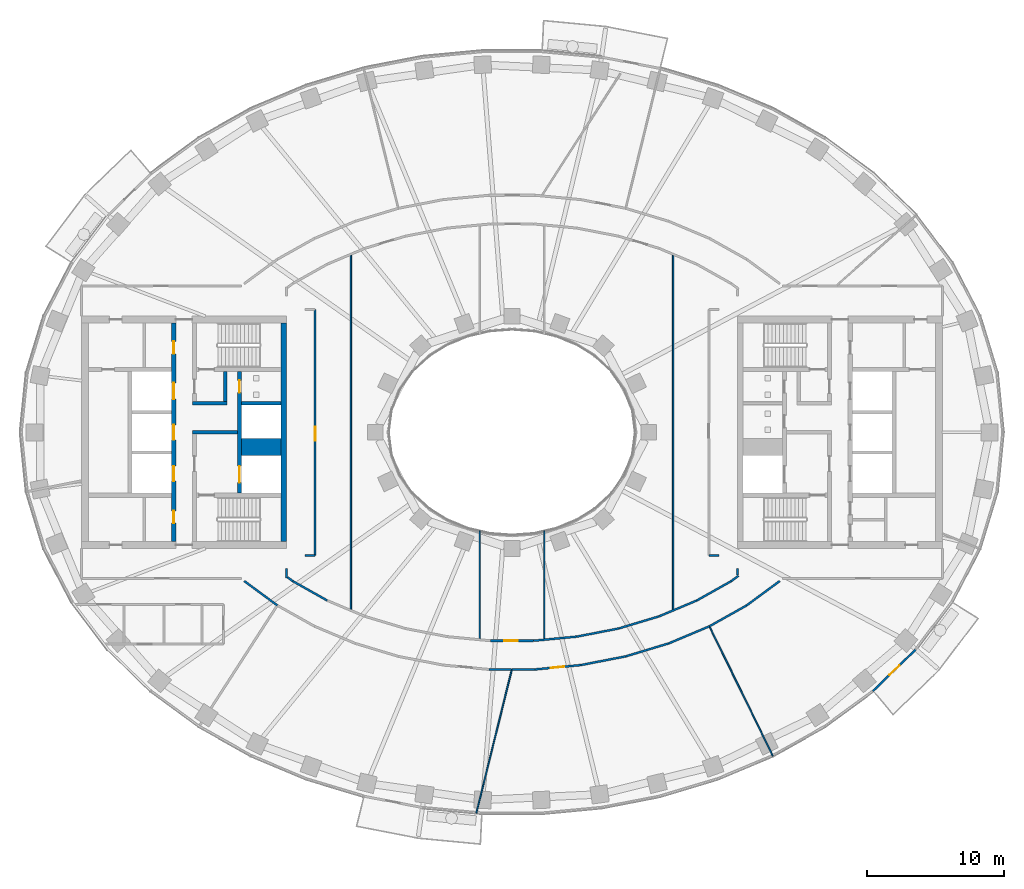
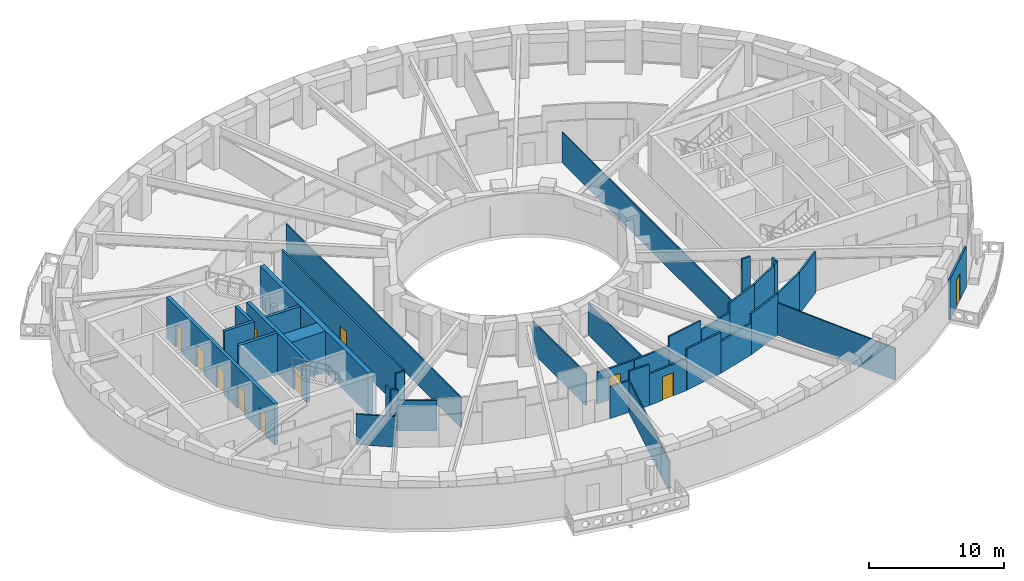
# One storey, part 4 of 16: 39 walls, 11 doors, 11 openings.
"""IFC4 building model written with IfcOpenShell, lengths in metres."""

from ifc_helpers import new_model, si_unit, direction, frame, frame_2d, origin, place, context, subcontext, project, spatial, rectangle, extrude, material, layer, layer_set, type_object, element, fill, save


model = new_model("IFC4")

# Units and contexts
model_context = context("Model", 3, precision=1e-05, world=origin(), true_north=direction((0.0, 1.0)))
body_context = subcontext(model_context, "Body", "Model", "MODEL_VIEW")
ifc_project = project(units=[si_unit("LENGTHUNIT", "METRE"), si_unit("AREAUNIT", "SQUARE_METRE"), si_unit("VOLUMEUNIT", "CUBIC_METRE"), si_unit("PLANEANGLEUNIT", "RADIAN"), si_unit("MASSUNIT", "GRAM", prefix="KILO")], contexts=[model_context])

# Site, building, storey
site_placement = place(None, origin())
site = spatial("IfcSite", under=ifc_project, at=site_placement, CompositionType="ELEMENT")
building_placement = place(site_placement, origin())
building = spatial("IfcBuilding", under=site, at=building_placement, Name="Noorbagh Ring Tower", CompositionType="ELEMENT")
storey_placement = place(building_placement, frame((0.0, 0.0, 136.0)))
storey = spatial("IfcBuildingStorey", under=building, at=storey_placement, Name="L31", CompositionType="ELEMENT", Elevation=136.0)

# Walls
ifc_material_1 = material(Name="Concrete C70/85", Category="concrete")
ifc_layer_1 = layer(ifc_material_1, 1.25)
ifc_layer_set_1 = layer_set([ifc_layer_1], Name="Concrete C70/85")
wall_type_1 = type_object("IfcWallType", Name="CORE-WALL-1250-C70-85-EI120", PredefinedType="SHEAR", material=ifc_layer_set_1)
wall_1_placement = place(storey_placement, frame((-16.89990234375, -1.074951171875, 0.0), z_axis=(0.0, 0.0, 1.0), x_axis=(-1.0, 0.0, 0.0)))
element("IfcWall", 1, at=wall_1_placement, inside=storey, type_object=wall_type_1, Name="Core wall W", PredefinedType="SHEAR", context=body_context, shape_type="SweptSolid", body=[
    extrude(rectangle(XDim=2.900146484375, YDim=1.25, at=frame_2d((1.4501953125, 0.0))), origin(), (0.0, 0.0, 1.0), 3.699951171875),
])
ifc_material_2 = material(Name="Concrete C70/85", Category="concrete")
ifc_layer_2 = layer(ifc_material_2, 0.25)
ifc_layer_set_2 = layer_set([ifc_layer_2], Name="Concrete C70/85")
wall_type_2 = type_object("IfcWallType", Name="CORE-WALL-250-C70-85-EI120", PredefinedType="SHEAR", material=ifc_layer_set_2)
wall_2_placement = place(storey_placement, frame((-16.89990234375, 2.125, 0.0), z_axis=(0.0, 0.0, 1.0), x_axis=(-1.0, 0.0, 0.0)))
element("IfcWall", 2, at=wall_2_placement, inside=storey, type_object=wall_type_2, Name="Core wall W", PredefinedType="SHEAR", context=body_context, shape_type="SweptSolid", body=[
    extrude(rectangle(XDim=2.900146484375, YDim=0.25, at=frame_2d((1.4501953125, 0.0))), origin(), (0.0, 0.0, 1.0), 3.699951171875),
])
ifc_material_3 = material(Name="Concrete C70/85", Category="concrete")
ifc_layer_3 = layer(ifc_material_3, 0.25)
ifc_layer_set_3 = layer_set([ifc_layer_3], Name="Concrete C70/85")
wall_type_3 = type_object("IfcWallType", Name="CORE-WALL-250-C70-85-EI240", PredefinedType="SHEAR", material=ifc_layer_set_3)
wall_3_placement = place(storey_placement, frame((-20.10009765625, 0.0, 0.0), z_axis=(0.0, 0.0, 1.0), x_axis=(-1.0, 0.0, 0.0)))
element("IfcWall", 3, at=wall_3_placement, inside=storey, type_object=wall_type_3, Name="Core wall W", PredefinedType="SHEAR", context=body_context, shape_type="SweptSolid", body=[
    extrude(rectangle(XDim=3.27978515625, YDim=0.25, at=frame_2d((1.639892578125, 0.0))), origin(), (0.0, 0.0, 1.0), 3.699951171875),
])
wall_4_placement = place(storey_placement, frame((-20.85009765625, 2.125, 0.0), z_axis=(0.0, 0.0, 1.0), x_axis=(-1.0, 0.0, 0.0)))
element("IfcWall", 4, at=wall_4_placement, inside=storey, type_object=wall_type_3, Name="Core wall W", PredefinedType="SHEAR", context=body_context, shape_type="SweptSolid", body=[
    extrude(rectangle(XDim=2.52978515625, YDim=0.25, at=frame_2d((1.264892578125, 0.0))), origin(), (0.0, 0.0, 1.0), 3.699951171875),
])
wall_5_placement = place(storey_placement, frame((-20.97509765625, 2.25, 0.0), z_axis=(0.0, 0.0, 1.0), x_axis=(0.0, 1.0, 0.0)))
element("IfcWall", 5, at=wall_5_placement, inside=storey, type_object=wall_type_3, Name="Core wall W", PredefinedType="SHEAR", context=body_context, shape_type="SweptSolid", body=[
    extrude(rectangle(XDim=2.199951171875, YDim=0.25, at=frame_2d((1.10009765625, 0.0))), origin(), (0.0, 0.0, 1.0), 3.699951171875),
])

# Wall, openings, doors
ifc_material_4 = material(Name="Concrete C70/85", Category="concrete")
ifc_layer_4 = layer(ifc_material_4, 0.300048828125)
ifc_layer_set_4 = layer_set([ifc_layer_4], Name="Concrete C70/85")
wall_type_4 = type_object("IfcWallType", Name="CORE-WALL-300-C70-85-EI120", PredefinedType="SHEAR", material=ifc_layer_set_4)
wall_6_placement = place(storey_placement, frame((-19.949951171875, -4.449951171875, 0.0), z_axis=(0.0, 0.0, 1.0), x_axis=(0.0, 1.0, 0.0)))
wall_6 = element("IfcWall", 6, at=wall_6_placement, inside=storey, type_object=wall_type_4, Name="Core wall W", PredefinedType="SHEAR", context=body_context, shape_type="SweptSolid", body=[
    extrude(rectangle(XDim=8.89990234375, YDim=0.300048828125, at=frame_2d((4.449951171875, 0.0))), origin(), (0.0, 0.0, 1.0), 3.699951171875),
])
opening_1_placement = place(wall_6_placement, frame((0.77490234375, 0.0, 0.0)))
opening_1 = element("IfcOpeningElement", 7, at=opening_1_placement, cuts=wall_6, Name="Opening L31-CW01", PredefinedType="OPENING", context=body_context, shape_type="SweptSolid", body=[
    extrude(rectangle(XDim=1.199951171875, YDim=2.10009765625, at=frame_2d((0.60009765625, 1.050048828125))), frame((0.0, 0.16015625, 0.0), z_axis=(0.0, -1.0, 0.0), x_axis=(1.0, 0.0, 0.0)), (0.0, 0.0, 1.0), 0.320068359375),
])
opening_2_placement = place(wall_6_placement, frame((7.35009765625, 0.0, 0.0)))
opening_2 = element("IfcOpeningElement", 8, at=opening_2_placement, cuts=wall_6, Name="Opening L31-CW11", PredefinedType="OPENING", context=body_context, shape_type="SweptSolid", body=[
    extrude(rectangle(XDim=0.89990234375, YDim=2.10009765625, at=frame_2d((0.449951171875, 1.050048828125))), frame((0.0, 0.16015625, 0.0), z_axis=(0.0, -1.0, 0.0), x_axis=(1.0, 0.0, 0.0)), (0.0, 0.0, 1.0), 0.320068359375),
])
ifc_material_5 = material(Name="Steel door leaf", Category="steel")
door_type_1 = type_object("IfcDoorType", Name="CORE-DOOR-DROOM", OperationType="SINGLE_SWING_LEFT", PredefinedType="DOOR", material=ifc_material_5)
door_1_placement = place(opening_2_placement, origin())
door_1 = element("IfcDoor", 9, at=door_1_placement, inside=storey, type_object=door_type_1, Name="Core room door L31-CW11", OperationType="SINGLE_SWING_LEFT", OverallHeight=2.10009765625, OverallWidth=0.89990234375, PredefinedType="DOOR", context=body_context, shape_type="SweptSolid", body=[
    extrude(rectangle(XDim=0.89990234375, YDim=2.10009765625, at=frame_2d((0.449951171875, 1.050048828125))), frame((0.0, 0.02490234375, 0.0), z_axis=(0.0, -1.0, 0.0), x_axis=(1.0, 0.0, 0.0)), (0.0, 0.0, 1.0), 0.050048828125),
])
fill(opening_2, door_1)
ifc_material_6 = material(Name="Steel door leaf", Category="steel")
door_type_2 = type_object("IfcDoorType", Name="CORE-DOOR-LDW", OperationType="DOUBLE_DOOR_SLIDING", PredefinedType="DOOR", material=ifc_material_6)
door_2_placement = place(opening_1_placement, origin())
door_2 = element("IfcDoor", 10, at=door_2_placement, inside=storey, type_object=door_type_2, Name="Landing door FF1 L31-CW01", OperationType="DOUBLE_DOOR_SLIDING", OverallHeight=2.10009765625, OverallWidth=1.199951171875, PredefinedType="DOOR", context=body_context, shape_type="SweptSolid", body=[
    extrude(rectangle(XDim=1.199951171875, YDim=2.10009765625, at=frame_2d((0.60009765625, 1.050048828125))), frame((0.0, 0.02490234375, 0.0), z_axis=(0.0, -1.0, 0.0), x_axis=(1.0, 0.0, 0.0)), (0.0, 0.0, 1.0), 0.050048828125),
])
fill(opening_1, door_2)

wall_7_placement = place(storey_placement, frame((-24.75, -8.0, 0.0), z_axis=(0.0, 0.0, 1.0), x_axis=(0.0, 1.0, 0.0)))
wall_7 = element("IfcWall", 11, at=wall_7_placement, inside=storey, type_object=wall_type_4, Name="Core wall W", PredefinedType="SHEAR", context=body_context, shape_type="SweptSolid", body=[
    extrude(rectangle(XDim=16.0, YDim=0.300048828125, at=frame_2d((8.0, 0.0))), origin(), (0.0, 0.0, 1.0), 3.699951171875),
])
opening_3_placement = place(wall_7_placement, frame((4.425048828125, 0.0, 0.0)))
opening_3 = element("IfcOpeningElement", 12, at=opening_3_placement, cuts=wall_7, Name="Opening L31-CW02", PredefinedType="OPENING", context=body_context, shape_type="SweptSolid", body=[
    extrude(rectangle(XDim=1.10009765625, YDim=2.10009765625, at=frame_2d((0.550048828125, 1.050048828125))), frame((0.0, 0.16015625, 0.0), z_axis=(0.0, -1.0, 0.0), x_axis=(1.0, 0.0, 0.0)), (0.0, 0.0, 1.0), 0.320068359375),
])
opening_4_placement = place(wall_7_placement, frame((7.449951171875, 0.0, 0.0)))
opening_4 = element("IfcOpeningElement", 13, at=opening_4_placement, cuts=wall_7, Name="Opening L31-CW03", PredefinedType="OPENING", context=body_context, shape_type="SweptSolid", body=[
    extrude(rectangle(XDim=1.10009765625, YDim=2.10009765625, at=frame_2d((0.550048828125, 1.050048828125))), frame((0.0, 0.16015625, 0.0), z_axis=(0.0, -1.0, 0.0), x_axis=(1.0, 0.0, 0.0)), (0.0, 0.0, 1.0), 0.320068359375),
])
opening_5_placement = place(wall_7_placement, frame((10.425048828125, 0.0, 0.0)))
opening_5 = element("IfcOpeningElement", 14, at=opening_5_placement, cuts=wall_7, Name="Opening L31-CW04", PredefinedType="OPENING", context=body_context, shape_type="SweptSolid", body=[
    extrude(rectangle(XDim=1.199951171875, YDim=2.10009765625, at=frame_2d((0.60009765625, 1.050048828125))), frame((0.0, 0.16015625, 0.0), z_axis=(0.0, -1.0, 0.0), x_axis=(1.0, 0.0, 0.0)), (0.0, 0.0, 1.0), 0.320068359375),
])
opening_6_placement = place(wall_7_placement, frame((13.75, 0.0, 0.0)))
opening_6 = element("IfcOpeningElement", 15, at=opening_6_placement, cuts=wall_7, Name="Opening L31-CW12", PredefinedType="OPENING", context=body_context, shape_type="SweptSolid", body=[
    extrude(rectangle(XDim=0.89990234375, YDim=2.10009765625, at=frame_2d((0.449951171875, 1.050048828125))), frame((0.0, 0.16015625, 0.0), z_axis=(0.0, -1.0, 0.0), x_axis=(1.0, 0.0, 0.0)), (0.0, 0.0, 1.0), 0.320068359375),
])
opening_7_placement = place(wall_7_placement, frame((1.35009765625, 0.0, 0.0)))
opening_7 = element("IfcOpeningElement", 16, at=opening_7_placement, cuts=wall_7, Name="Opening L31-CW14", PredefinedType="OPENING", context=body_context, shape_type="SweptSolid", body=[
    extrude(rectangle(XDim=0.89990234375, YDim=2.10009765625, at=frame_2d((0.449951171875, 1.050048828125))), frame((0.0, 0.16015625, 0.0), z_axis=(0.0, -1.0, 0.0), x_axis=(1.0, 0.0, 0.0)), (0.0, 0.0, 1.0), 0.320068359375),
])
door_3_placement = place(opening_6_placement, origin())
door_3 = element("IfcDoor", 17, at=door_3_placement, inside=storey, type_object=door_type_1, Name="Core room door L31-CW12", OperationType="SINGLE_SWING_RIGHT", OverallHeight=2.10009765625, OverallWidth=0.89990234375, PredefinedType="DOOR", context=body_context, shape_type="SweptSolid", body=[
    extrude(rectangle(XDim=0.89990234375, YDim=2.10009765625, at=frame_2d((0.449951171875, 1.050048828125))), frame((0.0, 0.02490234375, 0.0), z_axis=(0.0, -1.0, 0.0), x_axis=(1.0, 0.0, 0.0)), (0.0, 0.0, 1.0), 0.050048828125),
])
fill(opening_6, door_3)
door_4_placement = place(opening_7_placement, origin())
door_4 = element("IfcDoor", 18, at=door_4_placement, inside=storey, type_object=door_type_1, Name="Core room door L31-CW14", OperationType="SINGLE_SWING_LEFT", OverallHeight=2.10009765625, OverallWidth=0.89990234375, PredefinedType="DOOR", context=body_context, shape_type="SweptSolid", body=[
    extrude(rectangle(XDim=0.89990234375, YDim=2.10009765625, at=frame_2d((0.449951171875, 1.050048828125))), frame((0.0, 0.02490234375, 0.0), z_axis=(0.0, -1.0, 0.0), x_axis=(1.0, 0.0, 0.0)), (0.0, 0.0, 1.0), 0.050048828125),
])
fill(opening_7, door_4)
ifc_material_7 = material(Name="Steel door leaf", Category="steel")
door_type_3 = type_object("IfcDoorType", Name="CORE-DOOR-LD", OperationType="DOUBLE_DOOR_SLIDING", PredefinedType="DOOR", material=ifc_material_7)
door_5_placement = place(opening_3_placement, origin())
door_5 = element("IfcDoor", 19, at=door_5_placement, inside=storey, type_object=door_type_3, Name="Landing door LR1 L31-CW02", OperationType="DOUBLE_DOOR_SLIDING", OverallHeight=2.10009765625, OverallWidth=1.10009765625, PredefinedType="DOOR", context=body_context, shape_type="SweptSolid", body=[
    extrude(rectangle(XDim=1.10009765625, YDim=2.10009765625, at=frame_2d((0.550048828125, 1.050048828125))), frame((0.0, 0.02490234375, 0.0), z_axis=(0.0, -1.0, 0.0), x_axis=(1.0, 0.0, 0.0)), (0.0, 0.0, 1.0), 0.050048828125),
])
fill(opening_3, door_5)
door_6_placement = place(opening_4_placement, origin())
door_6 = element("IfcDoor", 20, at=door_6_placement, inside=storey, type_object=door_type_3, Name="Landing door LR2 L31-CW03", OperationType="DOUBLE_DOOR_SLIDING", OverallHeight=2.10009765625, OverallWidth=1.10009765625, PredefinedType="DOOR", context=body_context, shape_type="SweptSolid", body=[
    extrude(rectangle(XDim=1.10009765625, YDim=2.10009765625, at=frame_2d((0.550048828125, 1.050048828125))), frame((0.0, 0.02490234375, 0.0), z_axis=(0.0, -1.0, 0.0), x_axis=(1.0, 0.0, 0.0)), (0.0, 0.0, 1.0), 0.050048828125),
])
fill(opening_4, door_6)
door_7_placement = place(opening_5_placement, origin())
door_7 = element("IfcDoor", 21, at=door_7_placement, inside=storey, type_object=door_type_2, Name="Landing door SV1 L31-CW04", OperationType="DOUBLE_DOOR_SLIDING", OverallHeight=2.10009765625, OverallWidth=1.199951171875, PredefinedType="DOOR", context=body_context, shape_type="SweptSolid", body=[
    extrude(rectangle(XDim=1.199951171875, YDim=2.10009765625, at=frame_2d((0.60009765625, 1.050048828125))), frame((0.0, 0.02490234375, 0.0), z_axis=(0.0, -1.0, 0.0), x_axis=(1.0, 0.0, 0.0)), (0.0, 0.0, 1.0), 0.050048828125),
])
fill(opening_5, door_7)

# Walls
ifc_material_8 = material(Name="Concrete C70/85", Category="concrete")
ifc_layer_5 = layer(ifc_material_8, 0.39990234375)
ifc_layer_set_5 = layer_set([ifc_layer_5], Name="Concrete C70/85")
wall_type_5 = type_object("IfcWallType", Name="CORE-WALL-400-C70-85-EI240", PredefinedType="SHEAR", material=ifc_layer_set_5)
wall_8_placement = place(storey_placement, frame((-16.699951171875, -8.0, 0.0), z_axis=(0.0, 0.0, 1.0), x_axis=(0.0, 1.0, 0.0)))
element("IfcWall", 22, at=wall_8_placement, inside=storey, type_object=wall_type_5, Name="Core wall W", PredefinedType="SHEAR", context=body_context, shape_type="SweptSolid", body=[
    extrude(rectangle(XDim=16.0, YDim=0.39990234375, at=frame_2d((8.0, 0.0))), origin(), (0.0, 0.0, 1.0), 3.699951171875),
])
ifc_material_9 = material(Name="Gypsum board on steel studs", Category="steel")
ifc_layer_6 = layer(ifc_material_9, 0.14990234375)
ifc_layer_set_6 = layer_set([ifc_layer_6], Name="Gypsum board on steel studs")
wall_type_6 = type_object("IfcWallType", Name="CORRIDOR PARTITION 150 EI 30", PredefinedType="PARTITIONING", material=ifc_layer_set_6)
wall_9_placement = place(storey_placement, frame((-19.594970703125, -10.876953125, 0.0), z_axis=(0.0, 0.0, 1.0), x_axis=(0.805151708762, -0.593068904831, 0.0)))
element("IfcWall", 23, at=wall_9_placement, inside=storey, type_object=wall_type_6, Name="L31/wall/P15", PredefinedType="PARTITIONING", context=body_context, shape_type="SweptSolid", body=[
    extrude(rectangle(XDim=3.008056640625, YDim=0.14990234375, at=frame_2d((1.50390625, 0.0))), origin(), (0.0, 0.0, 1.0), 2.75),
])
wall_10_placement = place(storey_placement, frame((-16.5, -10.64208984375, 0.0), z_axis=(0.0, 0.0, 1.0), x_axis=(0.0, 1.0, 0.0)))
element("IfcWall", 24, at=wall_10_placement, inside=storey, type_object=wall_type_6, Name="L31/wall/P19", PredefinedType="PARTITIONING", context=body_context, shape_type="SweptSolid", body=[
    extrude(rectangle(XDim=0.677978515625, YDim=0.14990234375, at=frame_2d((0.3388671875, 0.0))), origin(), (0.0, 0.0, 1.0), 3.699951171875),
])
wall_11_placement = place(storey_placement, frame((-16.425048828125, -10.60400390625, 0.0), z_axis=(0.0, 0.0, 1.0), x_axis=(0.805608867586, -0.592447763492, 0.0)))
element("IfcWall", 25, at=wall_11_placement, inside=storey, type_object=wall_type_6, Name="L31/wall/P20", PredefinedType="PARTITIONING", context=body_context, shape_type="SweptSolid", body=[
    extrude(rectangle(XDim=0.48779296875, YDim=0.14990234375, at=frame_2d((0.243896484375, 0.0))), origin(), (0.0, 0.0, 1.0), 3.699951171875),
])
wall_12_placement = place(storey_placement, frame((-16.031982421875, -10.89306640625, 0.0), z_axis=(0.0, 0.0, 1.0), x_axis=(0.871948863789, -0.489596955604, 0.0)))
element("IfcWall", 26, at=wall_12_placement, inside=storey, type_object=wall_type_6, Name="L31/wall/P23", PredefinedType="PARTITIONING", context=body_context, shape_type="SweptSolid", body=[
    extrude(rectangle(XDim=2.879638671875, YDim=0.14990234375, at=frame_2d((1.43994140625, 0.0))), origin(), (0.0, 0.0, 1.0), 2.75),
])
wall_13_placement = place(storey_placement, frame((-15.134033203125, -9.0, 0.0), z_axis=(0.0, 0.0, 1.0), x_axis=(1.0, 0.0, 0.0)))
element("IfcWall", 27, at=wall_13_placement, inside=storey, type_object=wall_type_6, Name="L31/wall/P25", PredefinedType="PARTITIONING", context=body_context, shape_type="SweptSolid", body=[
    extrude(rectangle(XDim=0.734130859375, YDim=0.14990234375, at=frame_2d((0.3671875, 0.0))), origin(), (0.0, 0.0, 1.0), 3.699951171875),
])

# Wall, opening, door
wall_14_placement = place(storey_placement, frame((-14.39990234375, -9.0, 0.0), z_axis=(0.0, 0.0, 1.0), x_axis=(0.0, 1.0, 0.0)))
wall_14 = element("IfcWall", 28, at=wall_14_placement, inside=storey, type_object=wall_type_6, Name="L31/wall/P29", PredefinedType="PARTITIONING", context=body_context, shape_type="SweptSolid", body=[
    extrude(rectangle(XDim=18.0, YDim=0.14990234375, at=frame_2d((9.0, 0.0))), origin(), (0.0, 0.0, 1.0), 3.699951171875),
])
opening_8_placement = place(wall_14_placement, frame((8.39990234375, 0.0, 0.0)))
opening_8 = element("IfcOpeningElement", 29, at=opening_8_placement, cuts=wall_14, Name="Opening D1", PredefinedType="OPENING", context=body_context, shape_type="SweptSolid", body=[
    extrude(rectangle(XDim=1.0, YDim=2.10009765625, at=frame_2d((0.5, 1.050048828125))), frame((0.0, 0.0849609375, 0.0), z_axis=(0.0, -1.0, 0.0), x_axis=(1.0, 0.0, 0.0)), (0.0, 0.0, 1.0), 0.169921875),
])
ifc_material_10 = material(Name="Timber, painted", Category="wood")
door_type_4 = type_object("IfcDoorType", Name="DOOR 1000 X 2100 FD30", OperationType="SINGLE_SWING_LEFT", PredefinedType="DOOR", material=ifc_material_10)
door_8_placement = place(opening_8_placement, origin())
door_8 = element("IfcDoor", 30, at=door_8_placement, inside=storey, type_object=door_type_4, Name="L31-D14", OperationType="SINGLE_SWING_RIGHT", OverallHeight=2.10009765625, OverallWidth=1.0, PredefinedType="DOOR", context=body_context, shape_type="SweptSolid", body=[
    extrude(rectangle(XDim=1.0, YDim=2.10009765625, at=frame_2d((0.5, 1.050048828125))), frame((0.0, 0.02490234375, 0.0), z_axis=(0.0, -1.0, 0.0), x_axis=(1.0, 0.0, 0.0)), (0.0, 0.0, 1.0), 0.050048828125),
])
fill(opening_8, door_8)

# Wall
wall_15_placement = place(storey_placement, frame((-1.68798828125, -17.347900390625, 0.0), z_axis=(0.0, 0.0, 1.0), x_axis=(1.0, 0.0, 0.0)))
element("IfcWall", 31, at=wall_15_placement, inside=storey, type_object=wall_type_6, Name="L31/wall/P50", PredefinedType="PARTITIONING", context=body_context, shape_type="SweptSolid", body=[
    extrude(rectangle(XDim=1.657958984375, YDim=0.14990234375, at=frame_2d((0.8291015625, 0.0))), origin(), (0.0, 0.0, 1.0), 2.85009765625),
])

# Wall, opening, door
wall_16_placement = place(storey_placement, frame((-1.589111328125, -15.248046875, 0.0), z_axis=(0.0, 0.0, 1.0), x_axis=(1.0, 0.0, 0.0)))
wall_16 = element("IfcWall", 32, at=wall_16_placement, inside=storey, type_object=wall_type_6, Name="L31/wall/P52", PredefinedType="PARTITIONING", context=body_context, shape_type="SweptSolid", body=[
    extrude(rectangle(XDim=3.17822265625, YDim=0.14990234375, at=frame_2d((1.589111328125, 0.0))), origin(), (0.0, 0.0, 1.0), 2.85009765625),
])
opening_9_placement = place(wall_16_placement, frame((1.028076171875, 0.0, 0.0)))
opening_9 = element("IfcOpeningElement", 33, at=opening_9_placement, cuts=wall_16, Name="Opening D1", PredefinedType="OPENING", context=body_context, shape_type="SweptSolid", body=[
    extrude(rectangle(XDim=1.0, YDim=2.10009765625, at=frame_2d((0.5, 1.050048828125))), frame((0.0, 0.0849609375, 0.0), z_axis=(0.0, -1.0, 0.0), x_axis=(1.0, 0.0, 0.0)), (0.0, 0.0, 1.0), 0.169921875),
])
door_9_placement = place(opening_9_placement, origin())
door_9 = element("IfcDoor", 34, at=door_9_placement, inside=storey, type_object=door_type_4, Name="L31-D16", OperationType="SINGLE_SWING_RIGHT", OverallHeight=2.10009765625, OverallWidth=1.0, PredefinedType="DOOR", context=body_context, shape_type="SweptSolid", body=[
    extrude(rectangle(XDim=1.0, YDim=2.10009765625, at=frame_2d((0.5, 1.050048828125))), frame((0.0, 0.02490234375, 0.0), z_axis=(0.0, -1.0, 0.0), x_axis=(1.0, 0.0, 0.0)), (0.0, 0.0, 1.0), 0.050048828125),
])
fill(opening_9, door_9)

# Walls
wall_17_placement = place(storey_placement, frame((-0.012939453125, -17.347900390625, 0.0), z_axis=(0.0, 0.0, 1.0), x_axis=(1.0, 0.0, 0.0)))
element("IfcWall", 35, at=wall_17_placement, inside=storey, type_object=wall_type_6, Name="L31/wall/P54", PredefinedType="PARTITIONING", context=body_context, shape_type="SweptSolid", body=[
    extrude(rectangle(XDim=1.700927734375, YDim=0.14990234375, at=frame_2d((0.8505859375, 0.0))), origin(), (0.0, 0.0, 1.0), 3.699951171875),
])
wall_18_placement = place(storey_placement, frame((1.589111328125, -15.248046875, 0.0), z_axis=(0.0, 0.0, 1.0), x_axis=(0.995467349369, 0.095103923894, 0.0)))
element("IfcWall", 36, at=wall_18_placement, inside=storey, type_object=wall_type_6, Name="L31/wall/P55", PredefinedType="PARTITIONING", context=body_context, shape_type="SweptSolid", body=[
    extrude(rectangle(XDim=3.165283203125, YDim=0.14990234375, at=frame_2d((1.58251953125, 0.0))), origin(), (0.0, 0.0, 1.0), 2.85009765625),
])

# Wall, opening, door
wall_19_placement = place(storey_placement, frame((1.68798828125, -17.347900390625, 0.0), z_axis=(0.0, 0.0, 1.0), x_axis=(0.99548178004, 0.094952754613, 0.0)))
wall_19 = element("IfcWall", 37, at=wall_19_placement, inside=storey, type_object=wall_type_6, Name="L31/wall/P57", PredefinedType="PARTITIONING", context=body_context, shape_type="SweptSolid", body=[
    extrude(rectangle(XDim=3.3681640625, YDim=0.14990234375, at=frame_2d((1.68408203125, 0.0))), origin(), (0.0, 0.0, 1.0), 2.85009765625),
])
opening_10_placement = place(wall_19_placement, frame((1.14990234375, 0.0, 0.0)))
opening_10 = element("IfcOpeningElement", 38, at=opening_10_placement, cuts=wall_19, Name="Opening D1", PredefinedType="OPENING", context=body_context, shape_type="SweptSolid", body=[
    extrude(rectangle(XDim=1.0, YDim=2.10009765625, at=frame_2d((0.5, 1.050048828125))), frame((0.0, 0.0849609375, 0.0), z_axis=(0.0, -1.0, 0.0), x_axis=(1.0, 0.0, 0.0)), (0.0, 0.0, 1.0), 0.169921875),
])
door_10_placement = place(opening_10_placement, origin())
door_10 = element("IfcDoor", 39, at=door_10_placement, inside=storey, type_object=door_type_4, Name="L31-D09", OperationType="SINGLE_SWING_LEFT", OverallHeight=2.10009765625, OverallWidth=1.0, PredefinedType="DOOR", context=body_context, shape_type="SweptSolid", body=[
    extrude(rectangle(XDim=1.0, YDim=2.10009765625, at=frame_2d((0.5, 1.050048828125))), frame((0.0, 0.02490234375, 0.0), z_axis=(0.0, -1.0, 0.0), x_axis=(1.0, 0.0, 0.0)), (0.0, 0.0, 1.0), 0.050048828125),
])
fill(opening_10, door_10)

# Walls
wall_20_placement = place(storey_placement, frame((4.739990234375, -14.947021484375, 0.0), z_axis=(0.0, 0.0, 1.0), x_axis=(0.981627147181, 0.190809181955, 0.0)))
element("IfcWall", 40, at=wall_20_placement, inside=storey, type_object=wall_type_6, Name="L31/wall/P62", PredefinedType="PARTITIONING", context=body_context, shape_type="SweptSolid", body=[
    extrude(rectangle(XDim=3.133544921875, YDim=0.14990234375, at=frame_2d((1.56689453125, 0.0))), origin(), (0.0, 0.0, 1.0), 3.699951171875),
])
wall_21_placement = place(storey_placement, frame((5.041015625, -17.028076171875, 0.0), z_axis=(0.0, 0.0, 1.0), x_axis=(0.981650748697, 0.190687722683, 0.0)))
element("IfcWall", 41, at=wall_21_placement, inside=storey, type_object=wall_type_6, Name="L31/wall/P64", PredefinedType="PARTITIONING", context=body_context, shape_type="SweptSolid", body=[
    extrude(rectangle(XDim=3.34033203125, YDim=0.14990234375, at=frame_2d((1.670166015625, 0.0))), origin(), (0.0, 0.0, 1.0), 3.699951171875),
])
wall_22_placement = place(storey_placement, frame((7.81591796875, -14.34912109375, 0.0), z_axis=(0.0, 0.0, 1.0), x_axis=(0.957609782402, 0.288068576292, 0.0)))
element("IfcWall", 42, at=wall_22_placement, inside=storey, type_object=wall_type_6, Name="L31/wall/P66", PredefinedType="PARTITIONING", context=body_context, shape_type="SweptSolid", body=[
    extrude(rectangle(XDim=3.076416015625, YDim=0.14990234375, at=frame_2d((1.5380859375, 0.0))), origin(), (0.0, 0.0, 1.0), 2.85009765625),
])
wall_23_placement = place(storey_placement, frame((8.320068359375, -16.39111328125, 0.0), z_axis=(0.0, 0.0, 1.0), x_axis=(0.957544199748, 0.288286499041, 0.0)))
element("IfcWall", 43, at=wall_23_placement, inside=storey, type_object=wall_type_6, Name="L31/wall/P68", PredefinedType="PARTITIONING", context=body_context, shape_type="SweptSolid", body=[
    extrude(rectangle(XDim=3.292724609375, YDim=0.14990234375, at=frame_2d((1.646484375, 0.0))), origin(), (0.0, 0.0, 1.0), 2.85009765625),
])
wall_24_placement = place(storey_placement, frame((10.761962890625, -13.462890625, 0.0), z_axis=(0.0, 0.0, 1.0), x_axis=(0.921848667289, 0.387550041438, 0.0)))
element("IfcWall", 44, at=wall_24_placement, inside=storey, type_object=wall_type_6, Name="L31/wall/P71", PredefinedType="PARTITIONING", context=body_context, shape_type="SweptSolid", body=[
    extrude(rectangle(XDim=2.992919921875, YDim=0.14990234375, at=frame_2d((1.49658203125, 0.0))), origin(), (0.0, 0.0, 1.0), 3.699951171875),
])
wall_25_placement = place(storey_placement, frame((11.472900390625, -15.44189453125, 0.0), z_axis=(0.0, 0.0, 1.0), x_axis=(0.921794929211, 0.387677841101, 0.0)))
element("IfcWall", 45, at=wall_25_placement, inside=storey, type_object=wall_type_6, Name="L31/wall/P73", PredefinedType="PARTITIONING", context=body_context, shape_type="SweptSolid", body=[
    extrude(rectangle(XDim=3.224365234375, YDim=0.14990234375, at=frame_2d((1.6123046875, 0.0))), origin(), (0.0, 0.0, 1.0), 3.699951171875),
])
wall_26_placement = place(storey_placement, frame((13.52099609375, -12.302978515625, 0.0), z_axis=(0.0, 0.0, 1.0), x_axis=(0.871948863789, 0.489596955604, 0.0)))
element("IfcWall", 46, at=wall_26_placement, inside=storey, type_object=wall_type_6, Name="L31/wall/P76", PredefinedType="PARTITIONING", context=body_context, shape_type="SweptSolid", body=[
    extrude(rectangle(XDim=2.879638671875, YDim=0.14990234375, at=frame_2d((1.43994140625, 0.0))), origin(), (0.0, 0.0, 1.0), 3.699951171875),
])
wall_27_placement = place(storey_placement, frame((14.39990234375, -9.0, 0.0), z_axis=(0.0, 0.0, 1.0), x_axis=(1.0, 0.0, 0.0)))
element("IfcWall", 47, at=wall_27_placement, inside=storey, type_object=wall_type_6, Name="L31/wall/P79", PredefinedType="PARTITIONING", context=body_context, shape_type="SweptSolid", body=[
    extrude(rectangle(XDim=0.734130859375, YDim=0.14990234375, at=frame_2d((0.3671875, 0.0))), origin(), (0.0, 0.0, 1.0), 3.699951171875),
])
wall_28_placement = place(storey_placement, frame((14.4619140625, -14.181884765625, 0.0), z_axis=(0.0, 0.0, 1.0), x_axis=(0.872130780857, 0.489272828882, 0.0)))
element("IfcWall", 48, at=wall_28_placement, inside=storey, type_object=wall_type_6, Name="L31/wall/P83", PredefinedType="PARTITIONING", context=body_context, shape_type="SweptSolid", body=[
    extrude(rectangle(XDim=3.108642578125, YDim=0.14990234375, at=frame_2d((1.55419921875, 0.0))), origin(), (0.0, 0.0, 1.0), 3.699951171875),
])
wall_29_placement = place(storey_placement, frame((16.031982421875, -10.89306640625, 0.0), z_axis=(0.0, 0.0, 1.0), x_axis=(0.805701862575, 0.592321288359, 0.0)))
element("IfcWall", 49, at=wall_29_placement, inside=storey, type_object=wall_type_6, Name="L31/wall/P84", PredefinedType="PARTITIONING", context=body_context, shape_type="SweptSolid", body=[
    extrude(rectangle(XDim=0.673828125, YDim=0.14990234375, at=frame_2d((0.3369140625, 0.0))), origin(), (0.0, 0.0, 1.0), 3.699951171875),
])
wall_30_placement = place(storey_placement, frame((16.5, -10.4560546875, 0.0), z_axis=(0.0, 0.0, 1.0), x_axis=(0.0, 1.0, 0.0)))
element("IfcWall", 50, at=wall_30_placement, inside=storey, type_object=wall_type_6, Name="L31/wall/P86", PredefinedType="PARTITIONING", context=body_context, shape_type="SweptSolid", body=[
    extrude(rectangle(XDim=0.491943359375, YDim=0.14990234375, at=frame_2d((0.24609375, 0.0))), origin(), (0.0, 0.0, 1.0), 3.699951171875),
])
wall_31_placement = place(storey_placement, frame((17.173095703125, -12.660888671875, 0.0), z_axis=(0.0, 0.0, 1.0), x_axis=(0.805151708762, 0.593068904831, 0.0)))
element("IfcWall", 51, at=wall_31_placement, inside=storey, type_object=wall_type_6, Name="L31/wall/P88", PredefinedType="PARTITIONING", context=body_context, shape_type="SweptSolid", body=[
    extrude(rectangle(XDim=3.008056640625, YDim=0.14990234375, at=frame_2d((1.50390625, 0.0))), origin(), (0.0, 0.0, 1.0), 3.699951171875),
])

# Wall, opening, door
ifc_material_11 = material(Name="Insulated aluminium clad panel", Category="aluminium")
ifc_layer_7 = layer(ifc_material_11, 0.14990234375)
ifc_layer_set_7 = layer_set([ifc_layer_7], Name="Insulated aluminium clad panel")
wall_type_7 = type_object("IfcWallType", Name="ENV-WALL-DOOR", PredefinedType="STANDARD", material=ifc_layer_set_7)
wall_32_placement = place(storey_placement, frame((26.396484375, -18.943359375, 0.0), z_axis=(0.0, 0.0, 1.0), x_axis=(0.717214761864, 0.696852197647, 0.0)))
wall_32 = element("IfcWall", 52, at=wall_32_placement, inside=storey, type_object=wall_type_7, Name="Balcony door wall chord 42", PredefinedType="STANDARD", context=body_context, shape_type="SweptSolid", body=[
    extrude(rectangle(XDim=4.424072265625, YDim=0.14990234375, at=frame_2d((2.2119140625, 0.0))), origin(), (0.0, 0.0, 1.0), 3.699951171875),
])
opening_11_placement = place(wall_32_placement, frame((1.712158203125, 0.0, 0.0)))
opening_11 = element("IfcOpeningElement", 53, at=opening_11_placement, cuts=wall_32, Name="Opening D-BL", PredefinedType="OPENING", context=body_context, shape_type="SweptSolid", body=[
    extrude(rectangle(XDim=1.0, YDim=2.39990234375, at=frame_2d((0.5, 1.199951171875))), frame((0.0, 0.0849609375, 0.0), z_axis=(0.0, -1.0, 0.0), x_axis=(1.0, 0.0, 0.0)), (0.0, 0.0, 1.0), 0.169921875),
])
ifc_material_12 = material(Name="Aluminium and glass", Category="aluminium")
door_type_5 = type_object("IfcDoorType", Name="ENV-DOOR-BALCONY", OperationType="SINGLE_SWING_LEFT", PredefinedType="DOOR", material=ifc_material_12)
door_11_placement = place(opening_11_placement, origin())
door_11 = element("IfcDoor", 54, at=door_11_placement, inside=storey, type_object=door_type_5, Name="Balcony door chord 42", OperationType="SINGLE_SWING_RIGHT", OverallHeight=2.39990234375, OverallWidth=1.0, PredefinedType="DOOR", context=body_context, shape_type="SweptSolid", body=[
    extrude(rectangle(XDim=1.0, YDim=2.39990234375, at=frame_2d((0.5, 1.199951171875))), frame((0.0, 0.02490234375, 0.0), z_axis=(0.0, -1.0, 0.0), x_axis=(1.0, 0.0, 0.0)), (0.0, 0.0, 1.0), 0.050048828125),
])
fill(opening_11, door_11)

# Walls
ifc_material_13 = material(Name="Gypsum board on steel studs", Category="steel")
ifc_layer_8 = layer(ifc_material_13, 0.10009765625)
ifc_layer_set_8 = layer_set([ifc_layer_8], Name="Gypsum board on steel studs")
wall_type_8 = type_object("IfcWallType", Name="PARTITION 100 GYPSUM", PredefinedType="PARTITIONING", material=ifc_layer_set_8)
wall_33_placement = place(storey_placement, frame((-11.785888671875, -12.947021484375, 0.0), z_axis=(0.0, 0.0, 1.0), x_axis=(0.0, 1.0, 0.0)))
element("IfcWall", 55, at=wall_33_placement, inside=storey, type_object=wall_type_8, Name="L31/wall/P32", PredefinedType="PARTITIONING", context=body_context, shape_type="SweptSolid", body=[
    extrude(rectangle(XDim=25.89404296875, YDim=0.10009765625, at=frame_2d((12.947021484375, 0.0))), origin(), (0.0, 0.0, 1.0), 2.75),
])
wall_34_placement = place(storey_placement, frame((-2.60888671875, -27.85791015625, 0.0), z_axis=(0.0, 0.0, 1.0), x_axis=(0.239863692272, 0.970806576579, 0.0)))
element("IfcWall", 56, at=wall_34_placement, inside=storey, type_object=wall_type_8, Name="L31/wall/P46", PredefinedType="PARTITIONING", context=body_context, shape_type="SweptSolid", body=[
    extrude(rectangle(XDim=2.150634765625, YDim=0.10009765625, at=frame_2d((1.0751953125, 0.0))), origin(), (0.0, 0.0, 1.0), 2.85009765625),
])
wall_35_placement = place(storey_placement, frame((-2.35693359375, -15.095947265625, 0.0), z_axis=(0.0, 0.0, 1.0), x_axis=(0.0, 1.0, 0.0)))
element("IfcWall", 57, at=wall_35_placement, inside=storey, type_object=wall_type_8, Name="L31/wall/P47", PredefinedType="PARTITIONING", context=body_context, shape_type="SweptSolid", body=[
    extrude(rectangle(XDim=7.885986328125, YDim=0.10009765625, at=frame_2d((3.94287109375, 0.0))), origin(), (0.0, 0.0, 1.0), 2.89990234375),
])
wall_36_placement = place(storey_placement, frame((-2.087890625, -25.7490234375, 0.0), z_axis=(0.0, 0.0, 1.0), x_axis=(0.239779759728, 0.970827310506, 0.0)))
element("IfcWall", 58, at=wall_36_placement, inside=storey, type_object=wall_type_8, Name="L31/wall/P49", PredefinedType="PARTITIONING", context=body_context, shape_type="SweptSolid", body=[
    extrude(rectangle(XDim=8.653564453125, YDim=0.10009765625, at=frame_2d((4.32666015625, 0.0))), origin(), (0.0, 0.0, 1.0), 2.85009765625),
])
wall_37_placement = place(storey_placement, frame((2.35693359375, -15.095947265625, 0.0), z_axis=(0.0, 0.0, 1.0), x_axis=(0.0, 1.0, 0.0)))
element("IfcWall", 59, at=wall_37_placement, inside=storey, type_object=wall_type_8, Name="L31/wall/P60", PredefinedType="PARTITIONING", context=body_context, shape_type="SweptSolid", body=[
    extrude(rectangle(XDim=7.885986328125, YDim=0.10009765625, at=frame_2d((3.94287109375, 0.0))), origin(), (0.0, 0.0, 1.0), 2.85009765625),
])
wall_38_placement = place(storey_placement, frame((11.785888671875, -12.947021484375, 0.0), z_axis=(0.0, 0.0, 1.0), x_axis=(0.0, 1.0, 0.0)))
element("IfcWall", 60, at=wall_38_placement, inside=storey, type_object=wall_type_8, Name="L31/wall/P75", PredefinedType="PARTITIONING", context=body_context, shape_type="SweptSolid", body=[
    extrude(rectangle(XDim=25.89404296875, YDim=0.10009765625, at=frame_2d((12.947021484375, 0.0))), origin(), (0.0, 0.0, 1.0), 2.75),
])
wall_39_placement = place(storey_placement, frame((14.447021484375, -14.196044921875, 0.0), z_axis=(0.0, 0.0, 1.0), x_axis=(0.439198109491, -0.898390238493, 0.0)))
element("IfcWall", 61, at=wall_39_placement, inside=storey, type_object=wall_type_8, Name="L31/wall/P82", PredefinedType="PARTITIONING", context=body_context, shape_type="SweptSolid", body=[
    extrude(rectangle(XDim=10.562255859375, YDim=0.10009765625, at=frame_2d((5.28125, 0.0))), origin(), (0.0, 0.0, 1.0), 2.89990234375),
])

save(model, "model.ifc")
